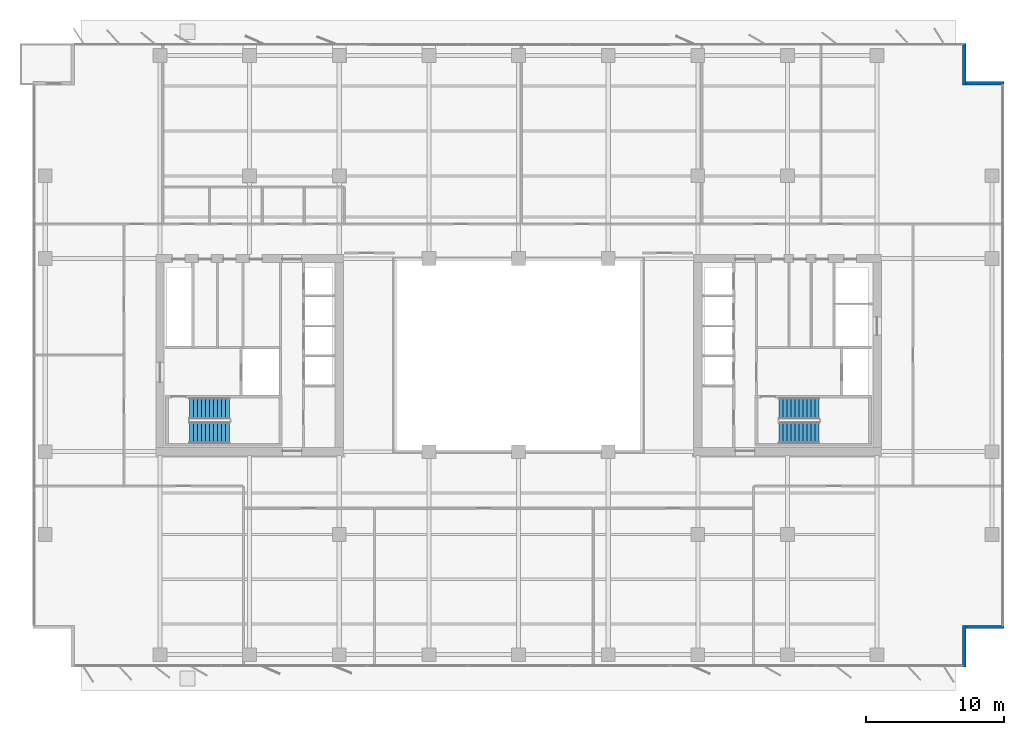
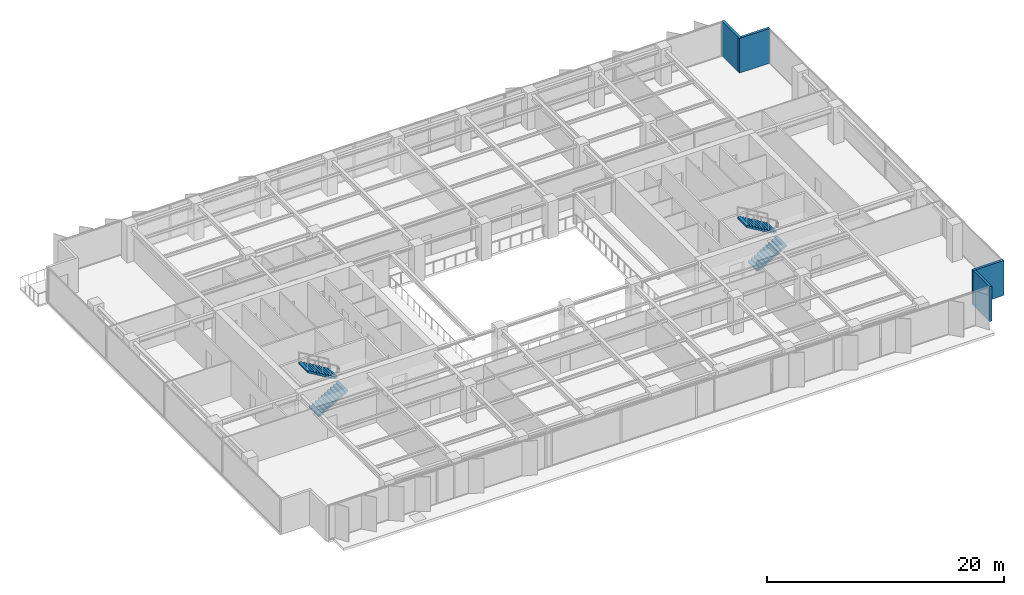
# One storey, part 18 of 22: 4 stair flights, 4 walls, 2 elements without a shape of their own.
"""IFC4 building model written with IfcOpenShell, lengths in metres."""

from ifc_helpers import new_model, si_unit, direction, frame, frame_2d, origin, place, context, subcontext, project, spatial, polyline, rectangle, outline, extrude, material, layer, layer_set, type_object, element, aggregate, save


model = new_model("IFC4")

# Units and contexts
model_context = context("Model", 3, precision=1e-05, world=origin(), true_north=direction((0.0, 1.0)))
body_context = subcontext(model_context, "Body", "Model", "MODEL_VIEW")
ifc_project = project(units=[si_unit("LENGTHUNIT", "METRE"), si_unit("AREAUNIT", "SQUARE_METRE"), si_unit("VOLUMEUNIT", "CUBIC_METRE"), si_unit("PLANEANGLEUNIT", "RADIAN"), si_unit("MASSUNIT", "GRAM", prefix="KILO")], contexts=[model_context])

# Site, building, storey
site_placement = place(None, origin())
site = spatial("IfcSite", under=ifc_project, at=site_placement, CompositionType="ELEMENT")
building_placement = place(site_placement, origin())
building = spatial("IfcBuilding", under=site, at=building_placement, Name="Putna Gate Headquarters", CompositionType="ELEMENT")
storey_placement = place(building_placement, frame((0.0, 0.0, 144.199951171875)))
storey = spatial("IfcBuildingStorey", under=building, at=storey_placement, Name="L35", CompositionType="ELEMENT", Elevation=144.199951171875)

# Walls
ifc_material_1 = material(Name="Precast concrete C40/50", Category="concrete")
ifc_layer = layer(ifc_material_1, 0.239990234375)
ifc_layer_set = layer_set([ifc_layer], Name="Precast concrete C40/50")
wall_type = type_object("IfcWallType", Name="WALL-EXT-TERR-240", PredefinedType="STANDARD", material=ifc_layer_set)
for number, where, z_axis, x_axis, name in (
    (1, (71.320068359375, 48.60009765625, 0.0), (0.0, 0.0, 1.0), (0.0, -1.0, 0.0), "L35 Corner Notch Return Wall NE-V"),
    (2, (71.199951171875, 45.719970703125, 0.0), (0.0, 0.0, 1.0), (1.0, 0.0, 0.0), "L35 Corner Notch Return Wall NE-H"),
    (3, (71.320068359375, 6.39990234375, 0.0), (0.0, 0.0, 1.0), (0.0, -1.0, 0.0), "L35 Corner Notch Return Wall SE-V"),
    (4, (74.199951171875, 6.280029296875, 0.0), (0.0, 0.0, 1.0), (-1.0, 0.0, 0.0), "L35 Corner Notch Return Wall SE-H"),
):
    element("IfcWall", number, at=place(storey_placement, frame(where, z_axis=z_axis, x_axis=x_axis)), inside=storey, type_object=wall_type, Name=name, PredefinedType="STANDARD", context=body_context, shape_type="SweptSolid", body=[
        extrude(rectangle(XDim=3.0, YDim=0.239990234375, at=frame_2d((1.5, 0.0))), origin(), (0.0, 0.0, 1.0), 3.572021484375),
    ])

# Stair, stair flights
ifc_material_2 = material(Name="Concrete C40/50", Category="concrete")
stair_type_1 = type_object("IfcStairType", Name="STAIR-ST1", PredefinedType="HALF_TURN_STAIR", material=ifc_material_2)
stair_1_placement = place(storey_placement, origin())
stair_1 = element("IfcStair", 5, at=stair_1_placement, inside=storey, type_object=stair_type_1, Name="L35 West Core Exit Stair ST1", PredefinedType="HALF_TURN_STAIR")
stair_flight_type_1 = type_object("IfcStairFlightType", Name="FLIGHT-ST1", PredefinedType="STRAIGHT", material=ifc_material_2)
stair_flight_1_placement = place(storey_placement, frame((15.14990234375, 20.375, 0.0), z_axis=(0.0, 0.0, 1.0), x_axis=(1.0, 0.0, 0.0)))
stair_flight_1 = element("IfcStairFlight", 6, at=stair_flight_1_placement, type_object=stair_flight_type_1, Name="ST1 flight 1", NumberOfRisers=11, NumberOfTreads=10, PredefinedType="STRAIGHT", RiserHeight=0.172727273, TreadLength=0.29, context=body_context, shape_type="SweptSolid", body=[
    extrude(outline(polyline([(0.0, 0.0), (0.0, 0.172607421875), (0.2900390625, 0.172607421875), (0.2900390625, 0.345458984375), (0.580078125, 0.345458984375), (0.580078125, 0.51806640625), (0.8701171875, 0.51806640625), (0.8701171875, 0.69091796875), (1.159912109375, 0.69091796875), (1.159912109375, 0.863525390625), (1.449951171875, 0.863525390625), (1.449951171875, 1.036376953125), (1.739990234375, 1.036376953125), (1.739990234375, 1.208984375), (2.030029296875, 1.208984375), (2.030029296875, 1.3818359375), (2.320068359375, 1.3818359375), (2.320068359375, 1.554443359375), (2.610107421875, 1.554443359375), (2.610107421875, 1.727294921875), (2.89990234375, 1.727294921875), (2.89990234375, 1.89990234375), (2.89990234375, 1.552734375), (0.29296875, 0.0), (0.0, 0.0)])), frame((0.0, 0.77490234375, 0.0), z_axis=(0.0, -1.0, 0.0), x_axis=(1.0, 0.0, 0.0)), (0.0, 0.0, 1.0), 1.550048828125),
])
stair_flight_2_placement = place(storey_placement, frame((18.050048828125, 22.125, 1.900146484375), z_axis=(0.0, 0.0, 1.0), x_axis=(-1.0, 0.0, 0.0)))
stair_flight_2 = element("IfcStairFlight", 7, at=stair_flight_2_placement, type_object=stair_flight_type_1, Name="ST1 flight 2", NumberOfRisers=11, NumberOfTreads=10, PredefinedType="STRAIGHT", RiserHeight=0.172727273, TreadLength=0.29, context=body_context, shape_type="SweptSolid", body=[
    extrude(outline(polyline([(0.0, 0.0), (0.0, 0.172607421875), (0.2900390625, 0.172607421875), (0.2900390625, 0.345458984375), (0.580078125, 0.345458984375), (0.580078125, 0.51806640625), (0.8701171875, 0.51806640625), (0.8701171875, 0.69091796875), (1.159912109375, 0.69091796875), (1.159912109375, 0.863525390625), (1.449951171875, 0.863525390625), (1.449951171875, 1.036376953125), (1.739990234375, 1.036376953125), (1.739990234375, 1.208984375), (2.030029296875, 1.208984375), (2.030029296875, 1.3818359375), (2.320068359375, 1.3818359375), (2.320068359375, 1.554443359375), (2.610107421875, 1.554443359375), (2.610107421875, 1.727294921875), (2.89990234375, 1.727294921875), (2.89990234375, 1.89990234375), (2.89990234375, 1.552734375), (0.29296875, 0.0), (0.0, 0.0)])), frame((0.0, 0.77490234375, 0.0), z_axis=(0.0, -1.0, 0.0), x_axis=(1.0, 0.0, 0.0)), (0.0, 0.0, 1.0), 1.550048828125),
])
aggregate(stair_1, [stair_flight_1, stair_flight_2])

stair_type_2 = type_object("IfcStairType", Name="STAIR-ST2", PredefinedType="HALF_TURN_STAIR", material=ifc_material_2)
stair_2_placement = place(storey_placement, origin())
stair_2 = element("IfcStair", 8, at=stair_2_placement, inside=storey, type_object=stair_type_2, Name="L35 East Core Exit Stair ST2", PredefinedType="HALF_TURN_STAIR")
stair_flight_type_2 = type_object("IfcStairFlightType", Name="FLIGHT-ST2", PredefinedType="STRAIGHT", material=ifc_material_2)
stair_flight_3_placement = place(storey_placement, frame((57.89990234375, 20.375, 0.0), z_axis=(0.0, 0.0, 1.0), x_axis=(1.0, 0.0, 0.0)))
stair_flight_3 = element("IfcStairFlight", 9, at=stair_flight_3_placement, type_object=stair_flight_type_2, Name="ST2 flight 1", NumberOfRisers=11, NumberOfTreads=10, PredefinedType="STRAIGHT", RiserHeight=0.172727273, TreadLength=0.29, context=body_context, shape_type="SweptSolid", body=[
    extrude(outline(polyline([(0.0, 0.0), (0.0, 0.172607421875), (0.2900390625, 0.172607421875), (0.2900390625, 0.345458984375), (0.580078125, 0.345458984375), (0.580078125, 0.51806640625), (0.8701171875, 0.51806640625), (0.8701171875, 0.69091796875), (1.159912109375, 0.69091796875), (1.159912109375, 0.863525390625), (1.449951171875, 0.863525390625), (1.449951171875, 1.036376953125), (1.739990234375, 1.036376953125), (1.739990234375, 1.208984375), (2.030029296875, 1.208984375), (2.030029296875, 1.3818359375), (2.320068359375, 1.3818359375), (2.320068359375, 1.554443359375), (2.610107421875, 1.554443359375), (2.610107421875, 1.727294921875), (2.89990234375, 1.727294921875), (2.89990234375, 1.89990234375), (2.89990234375, 1.552734375), (0.29296875, 0.0), (0.0, 0.0)])), frame((0.0, 0.77490234375, 0.0), z_axis=(0.0, -1.0, 0.0), x_axis=(1.0, 0.0, 0.0)), (0.0, 0.0, 1.0), 1.550048828125),
])
stair_flight_4_placement = place(storey_placement, frame((60.800048828125, 22.125, 1.900146484375), z_axis=(0.0, 0.0, 1.0), x_axis=(-1.0, 0.0, 0.0)))
stair_flight_4 = element("IfcStairFlight", 10, at=stair_flight_4_placement, type_object=stair_flight_type_2, Name="ST2 flight 2", NumberOfRisers=11, NumberOfTreads=10, PredefinedType="STRAIGHT", RiserHeight=0.172727273, TreadLength=0.29, context=body_context, shape_type="SweptSolid", body=[
    extrude(outline(polyline([(0.0, 0.0), (0.0, 0.172607421875), (0.2900390625, 0.172607421875), (0.2900390625, 0.345458984375), (0.580078125, 0.345458984375), (0.580078125, 0.51806640625), (0.8701171875, 0.51806640625), (0.8701171875, 0.69091796875), (1.159912109375, 0.69091796875), (1.159912109375, 0.863525390625), (1.449951171875, 0.863525390625), (1.449951171875, 1.036376953125), (1.739990234375, 1.036376953125), (1.739990234375, 1.208984375), (2.030029296875, 1.208984375), (2.030029296875, 1.3818359375), (2.320068359375, 1.3818359375), (2.320068359375, 1.554443359375), (2.610107421875, 1.554443359375), (2.610107421875, 1.727294921875), (2.89990234375, 1.727294921875), (2.89990234375, 1.89990234375), (2.89990234375, 1.552734375), (0.29296875, 0.0), (0.0, 0.0)])), frame((0.0, 0.77490234375, 0.0), z_axis=(0.0, -1.0, 0.0), x_axis=(1.0, 0.0, 0.0)), (0.0, 0.0, 1.0), 1.550048828125),
])
aggregate(stair_2, [stair_flight_3, stair_flight_4])

save(model, "model.ifc")
